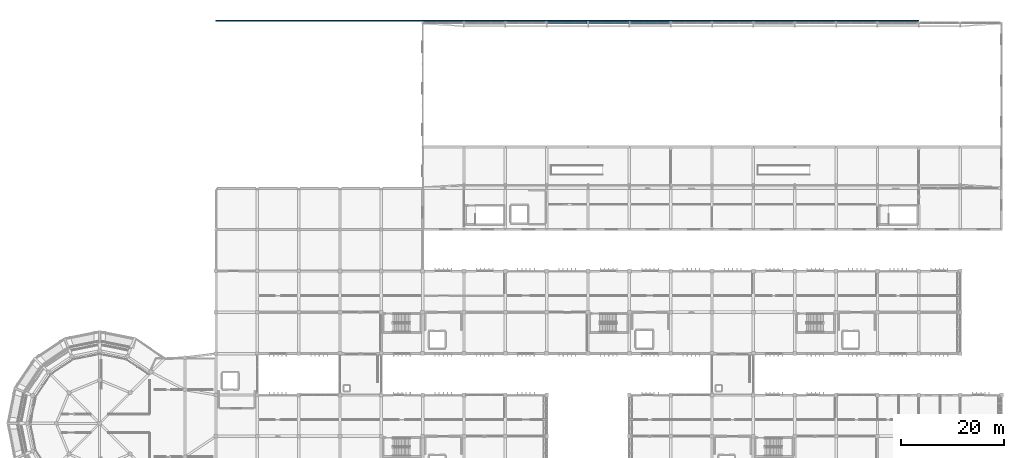
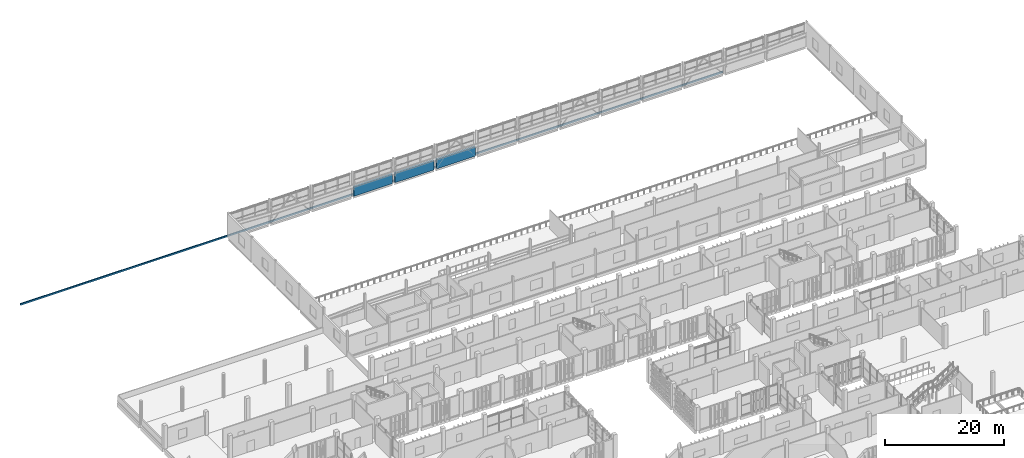
# One storey, part 86 of 106: 4 walls.
"""IFC4 building model written with IfcOpenShell, lengths in metres."""

from ifc_helpers import new_model, si_unit, direction, frame, frame_2d, origin, place, context, subcontext, project, spatial, rectangle, extrude, material, layer, layer_set, type_object, element, save


model = new_model("IFC4")

# Units and contexts
model_context = context("Model", 3, precision=1e-05, world=origin(), true_north=direction((0.0, 1.0)))
body_context = subcontext(model_context, "Body", "Model", "MODEL_VIEW")
ifc_project = project(units=[si_unit("LENGTHUNIT", "METRE"), si_unit("AREAUNIT", "SQUARE_METRE"), si_unit("VOLUMEUNIT", "CUBIC_METRE"), si_unit("PLANEANGLEUNIT", "RADIAN"), si_unit("MASSUNIT", "GRAM", prefix="KILO")], contexts=[model_context])

# Site, building, storey
site_placement = place(None, origin())
site = spatial("IfcSite", under=ifc_project, at=site_placement, CompositionType="ELEMENT")
building_placement = place(site_placement, origin())
building = spatial("IfcBuilding", under=site, at=building_placement, Name="Jelvoka-Kovrelna Polytechnic", CompositionType="ELEMENT")
storey_placement = place(building_placement, frame((0.0, 0.0, 4.800048828125)))
storey = spatial("IfcBuildingStorey", under=building, at=storey_placement, Name="L02", CompositionType="ELEMENT", Elevation=4.800048828125)

# Walls
ifc_material_1 = material(Name="Precast concrete C40/50", Category="concrete")
ifc_layer_1 = layer(ifc_material_1, 0.340087890625)
ifc_layer_set_1 = layer_set([ifc_layer_1], Name="Precast concrete C40/50")
wall_type_1 = type_object("IfcWallType", Name="Wall_Ext_Workshop_340", PredefinedType="STANDARD", material=ifc_layer_set_1)
for number, where, z_axis, x_axis, name in (
    (1, (112.239990234375, 120.0, 0.0), (0.0, 0.0, 1.0), (1.0, 0.0, 0.0), "L02 exterior wall 0903"),
    (2, (120.239990234375, 120.0, 0.0), (0.0, 0.0, 1.0), (1.0, 0.0, 0.0), "L02 exterior wall 0904"),
    (3, (128.239990234375, 120.0, 0.0), (0.0, 0.0, 1.0), (1.0, 0.0, 0.0), "L02 exterior wall 0905"),
):
    element("IfcWall", number, at=place(storey_placement, frame(where, z_axis=z_axis, x_axis=x_axis)), inside=storey, type_object=wall_type_1, Name=name, PredefinedType="PARAPET", context=body_context, shape_type="SweptSolid", body=[
        extrude(rectangle(XDim=7.52001953125, YDim=0.340087890625, at=frame_2d((3.760009765625, 0.0))), origin(), (0.0, 0.0, 1.0), 1.949951171875),
    ])
ifc_material_2 = material(Name="Precast concrete C40/50", Category="concrete")
ifc_layer_2 = layer(ifc_material_2, 0.199951171875)
ifc_layer_set_2 = layer_set([ifc_layer_2], Name="Precast concrete C40/50")
wall_type_2 = type_object("IfcWallType", Name="Wall_Parapet_200", PredefinedType="PARAPET", material=ifc_layer_set_2)
wall_placement = place(storey_placement, frame((48.0, 120.449951171875, -0.150146484375), z_axis=(0.0, 0.0, 1.0), x_axis=(1.0, 0.0, 0.0)))
element("IfcWall", 4, at=wall_placement, inside=storey, type_object=wall_type_2, Name="L02 exterior wall 0862", PredefinedType="PARAPET", context=body_context, shape_type="SweptSolid", body=[
    extrude(rectangle(XDim=136.0, YDim=0.199951171875, at=frame_2d((68.0, 0.0))), origin(), (0.0, 0.0, 1.0), 0.330078125),
])

save(model, "model.ifc")
